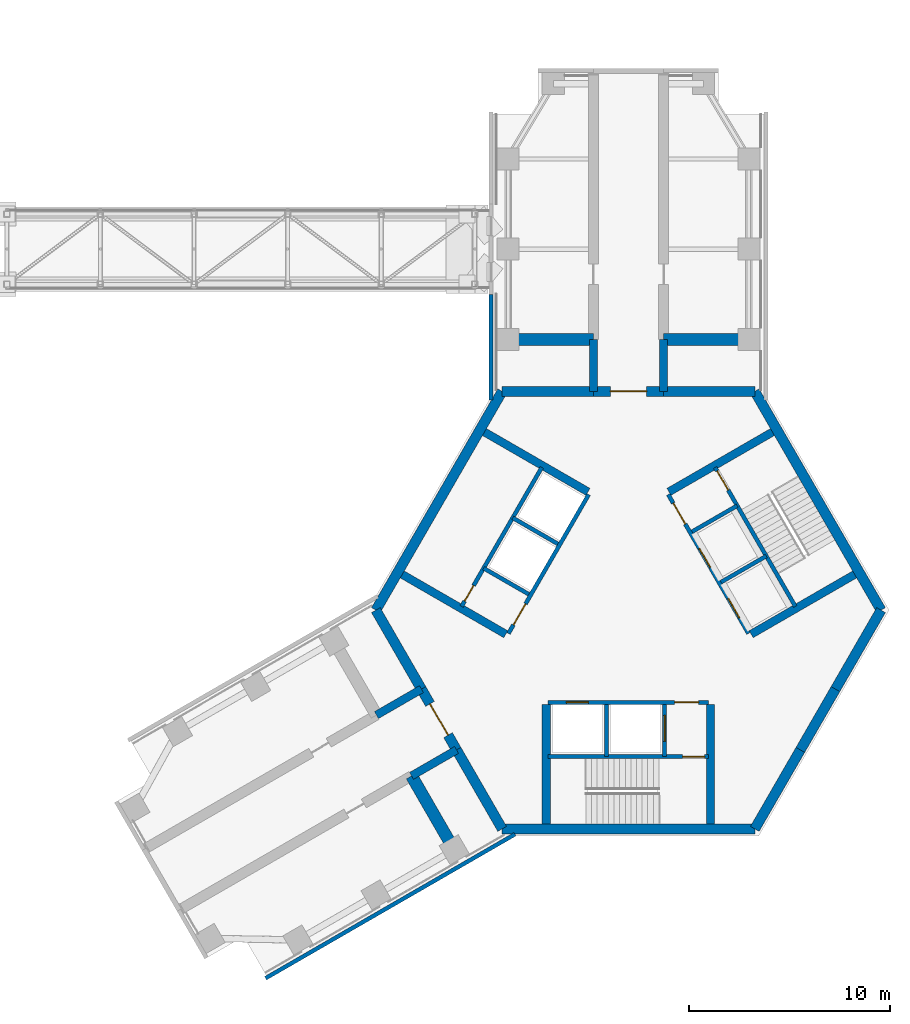
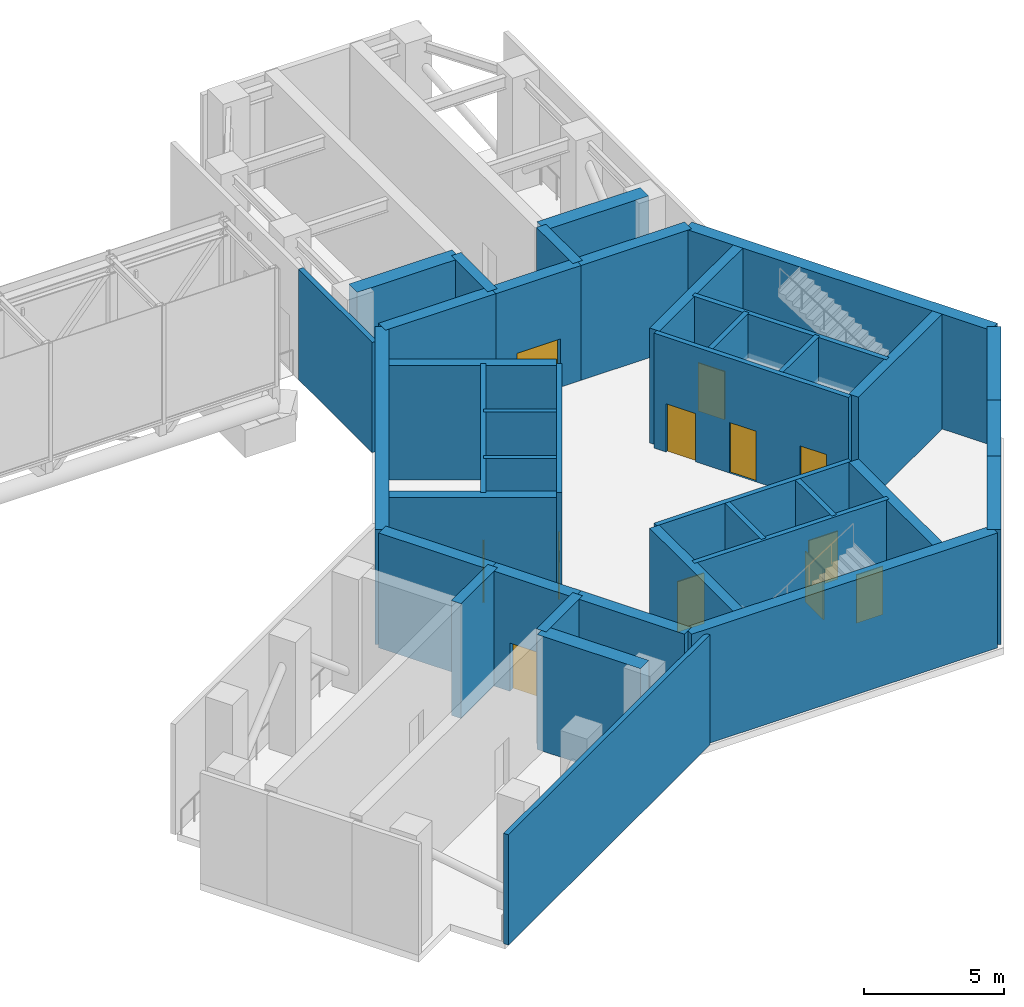
# One storey, part 10 of 15: 39 walls, 12 doors, 12 openings.
"""IFC4 building model written with IfcOpenShell, lengths in metres."""

from ifc_helpers import new_model, si_unit, direction, frame, frame_2d, origin, place, context, subcontext, project, spatial, rectangle, extrude, material, layer, layer_set, type_object, element, fill, save


model = new_model("IFC4")

# Units and contexts
model_context = context("Model", 3, precision=1e-05, world=origin(), true_north=direction((0.0, 1.0)))
body_context = subcontext(model_context, "Body", "Model", "MODEL_VIEW")
ifc_project = project(units=[si_unit("LENGTHUNIT", "METRE"), si_unit("AREAUNIT", "SQUARE_METRE"), si_unit("VOLUMEUNIT", "CUBIC_METRE"), si_unit("PLANEANGLEUNIT", "RADIAN"), si_unit("MASSUNIT", "GRAM", prefix="KILO")], contexts=[model_context])

# Site, building, storey
site_placement = place(None, origin())
site = spatial("IfcSite", under=ifc_project, at=site_placement, CompositionType="ELEMENT")
building_placement = place(site_placement, origin())
building = spatial("IfcBuilding", under=site, at=building_placement, Name="Upepo Twin Towers", CompositionType="ELEMENT")
storey_placement = place(building_placement, frame((0.0, 0.0, 238.5)))
storey = spatial("IfcBuildingStorey", under=building, at=storey_placement, Name="L58", CompositionType="ELEMENT", Elevation=238.5)

# Walls
ifc_material_1 = material(Name="Precast concrete breeze blocks", Category="concrete")
ifc_layer_1 = layer(ifc_material_1, 0.199951171875)
ifc_layer_set_1 = layer_set([ifc_layer_1], Name="Breeze-block screen wall 200")
wall_type_1 = type_object("IfcWallType", Name="Breeze-block screen wall 200", PredefinedType="USERDEFINED", material=ifc_layer_set_1)
wall_1_placement = place(storey_placement, frame((51.64990234375, -7.512939453125, 0.0), z_axis=(0.0, 0.0, 1.0), x_axis=(0.0, 1.0, 0.0)))
element("IfcWall", 1, at=wall_1_placement, inside=storey, type_object=wall_type_1, Name="T2 L58 wing A screen L1", ObjectType="SCREEN", PredefinedType="USERDEFINED", context=body_context, shape_type="SweptSolid", body=[
    extrude(rectangle(XDim=5.262939453125, YDim=0.199951171875, at=frame_2d((2.63134765625, 0.0))), origin(), (0.0, 0.0, 1.0), 4.800048828125),
])
wall_2_placement = place(storey_placement, frame((52.8427734375, -29.17578125, 0.0), z_axis=(0.0, 0.0, 1.0), x_axis=(-0.866024237261, -0.500002020472, 0.0)))
element("IfcWall", 2, at=wall_2_placement, inside=storey, type_object=wall_type_1, Name="T2 L58 wing B screen L", ObjectType="SCREEN", PredefinedType="USERDEFINED", context=body_context, shape_type="SweptSolid", body=[
    extrude(rectangle(XDim=14.36279296875, YDim=0.199951171875, at=frame_2d((7.181396484375, 0.0))), origin(), (0.0, 0.0, 1.0), 4.800048828125),
])
ifc_material_2 = material(Name="Concrete C60/75", Category="concrete")
ifc_layer_2 = layer(ifc_material_2, 0.39990234375)
ifc_layer_set_2 = layer_set([ifc_layer_2], Name="Concrete C60/75")
wall_type_2 = type_object("IfcWallType", Name="Buttress wall 400 RC", PredefinedType="SHEAR", material=ifc_layer_set_2)
for number, where, z_axis, x_axis, name in (
    (3, (56.75, -7.091552734375, 0.0), (0.0, 0.0, 1.0), (0.0, 1.0, 0.0), "T2 wing A buttress wall L"),
    (4, (60.25, -7.091552734375, 0.0), (0.0, 0.0, 1.0), (0.0, 1.0, 0.0), "T2 wing A buttress wall R"),
):
    element("IfcWall", number, at=place(storey_placement, frame(where, z_axis=z_axis, x_axis=x_axis)), inside=storey, type_object=wall_type_2, Name=name, PredefinedType="SHEAR", context=body_context, shape_type="SweptSolid", body=[
        extrude(rectangle(XDim=2.591552734375, YDim=0.39990234375, at=frame_2d((1.2958984375, 0.0))), origin(), (0.0, 0.0, 1.0), 5.0),
    ])
for number, where, z_axis, x_axis, name in (
    (5, (49.92822265625, -24.9697265625, 0.0), (0.0, 0.0, 1.0), (-0.866031863473, -0.499988811324, 0.0), "T2 wing B buttress wall L"),
    (6, (48.17822265625, -21.938720703125, 0.0), (0.0, 0.0, 1.0), (-0.866072649678, -0.499918158782, 0.0), "T2 wing B buttress wall R"),
):
    element("IfcWall", number, at=place(storey_placement, frame(where, z_axis=z_axis, x_axis=x_axis)), inside=storey, type_object=wall_type_2, Name=name, PredefinedType="SHEAR", context=body_context, shape_type="SweptSolid", body=[
        extrude(rectangle(XDim=2.591796875, YDim=0.39990234375, at=frame_2d((1.2958984375, 0.0))), origin(), (0.0, 0.0, 1.0), 5.0),
    ])
ifc_material_3 = material(Name="Concrete C60/75", Category="concrete")
ifc_layer_3 = layer(ifc_material_3, 0.5)
ifc_layer_set_3 = layer_set([ifc_layer_3], Name="Concrete C60/75")
wall_type_3 = type_object("IfcWallType", Name="Core wall 500 RC", PredefinedType="SHEAR", material=ifc_layer_set_3)
wall_3_placement = place(storey_placement, frame((64.7978515625, -7.091552734375, 0.0), z_axis=(0.0, 0.0, 1.0), x_axis=(-1.0, 0.0, 0.0)))
element("IfcWall", 7, at=wall_3_placement, inside=storey, type_object=wall_type_3, Name="T2 core wall 000 R", PredefinedType="SHEAR", context=body_context, shape_type="SweptSolid", body=[
    extrude(rectangle(XDim=4.5478515625, YDim=0.5, at=frame_2d((2.27392578125, 0.0))), origin(), (0.0, 0.0, 1.0), 5.0),
])

# Wall, opening, door
wall_4_placement = place(storey_placement, frame((60.25, -7.091552734375, 0.0), z_axis=(0.0, 0.0, 1.0), x_axis=(-1.0, 0.0, 0.0)))
wall_4 = element("IfcWall", 8, at=wall_4_placement, inside=storey, type_object=wall_type_3, Name="T2 core wall 000", PredefinedType="SHEAR", context=body_context, shape_type="SweptSolid", body=[
    extrude(rectangle(XDim=3.5, YDim=0.5, at=frame_2d((1.75, 0.0))), origin(), (0.0, 0.0, 1.0), 5.0),
])
opening_1_placement = place(wall_4_placement, frame((0.85009765625, 0.0, 0.0)))
opening_1 = element("IfcOpeningElement", 9, at=opening_1_placement, cuts=wall_4, Name="Opening D2", PredefinedType="OPENING", context=body_context, shape_type="SweptSolid", body=[
    extrude(rectangle(XDim=1.800048828125, YDim=2.10009765625, at=frame_2d((0.89990234375, 1.050048828125))), frame((0.0, 0.260009765625, 0.0), z_axis=(0.0, -1.0, 0.0), x_axis=(1.0, 0.0, 0.0)), (0.0, 0.0, 1.0), 0.52001953125),
])
ifc_material_4 = material(Name="Timber doorset", Category="wood")
door_type_1 = type_object("IfcDoorType", Name="Corridor double door 1800 FD60", OperationType="DOUBLE_DOOR_DOUBLE_SWING", PredefinedType="DOOR", material=ifc_material_4)
door_1_placement = place(opening_1_placement, origin())
door_1 = element("IfcDoor", 10, at=door_1_placement, inside=storey, type_object=door_type_1, Name="T2 L58 wing A corridor door", OperationType="DOUBLE_DOOR_DOUBLE_SWING", OverallHeight=2.10009765625, OverallWidth=1.800048828125, PredefinedType="DOOR", context=body_context, shape_type="SweptSolid", body=[
    extrude(rectangle(XDim=1.800048828125, YDim=2.10009765625, at=frame_2d((0.89990234375, 1.050048828125))), frame((0.0, 0.02490234375, 0.0), z_axis=(0.0, -1.0, 0.0), x_axis=(1.0, 0.0, 0.0)), (0.0, 0.0, 1.0), 0.050048828125),
])
fill(opening_1, door_1)

# Walls
wall_5_placement = place(storey_placement, frame((56.75, -7.091552734375, 0.0), z_axis=(0.0, 0.0, 1.0), x_axis=(-1.0, 0.0, 0.0)))
element("IfcWall", 11, at=wall_5_placement, inside=storey, type_object=wall_type_3, Name="T2 core wall 000 L", PredefinedType="SHEAR", context=body_context, shape_type="SweptSolid", body=[
    extrude(rectangle(XDim=4.5478515625, YDim=0.5, at=frame_2d((2.27392578125, 0.0))), origin(), (0.0, 0.0, 1.0), 5.0),
])
wall_6_placement = place(storey_placement, frame((52.2021484375, -7.091552734375, 0.0), z_axis=(0.0, 0.0, 1.0), x_axis=(-0.500005998175, -0.866021940709, 0.0)))
element("IfcWall", 12, at=wall_6_placement, inside=storey, type_object=wall_type_3, Name="T2 core wall 060", PredefinedType="SHEAR", context=body_context, shape_type="SweptSolid", body=[
    extrude(rectangle(XDim=12.595947265625, YDim=0.5, at=frame_2d((6.2978515625, 0.0))), origin(), (0.0, 0.0, 1.0), 5.0),
])
wall_7_placement = place(storey_placement, frame((45.904052734375, -18.0, 0.0), z_axis=(0.0, 0.0, 1.0), x_axis=(0.500024481964, -0.866011268655, 0.0)))
element("IfcWall", 13, at=wall_7_placement, inside=storey, type_object=wall_type_3, Name="T2 core wall 120 R", PredefinedType="SHEAR", context=body_context, shape_type="SweptSolid", body=[
    extrude(rectangle(XDim=4.548095703125, YDim=0.5, at=frame_2d((2.27392578125, 0.0))), origin(), (0.0, 0.0, 1.0), 5.0),
])

# Wall, opening, door
wall_8_placement = place(storey_placement, frame((48.17822265625, -21.938720703125, 0.0), z_axis=(0.0, 0.0, 1.0), x_axis=(0.500010275428, -0.866019471182, 0.0)))
wall_8 = element("IfcWall", 14, at=wall_8_placement, inside=storey, type_object=wall_type_3, Name="T2 core wall 120", PredefinedType="SHEAR", context=body_context, shape_type="SweptSolid", body=[
    extrude(rectangle(XDim=3.5, YDim=0.5, at=frame_2d((1.75, 0.0))), origin(), (0.0, 0.0, 1.0), 5.0),
])
opening_2_placement = place(wall_8_placement, frame((0.85009765625, 0.0, 0.0)))
opening_2 = element("IfcOpeningElement", 15, at=opening_2_placement, cuts=wall_8, Name="Opening D2", PredefinedType="OPENING", context=body_context, shape_type="SweptSolid", body=[
    extrude(rectangle(XDim=1.800048828125, YDim=2.10009765625, at=frame_2d((0.89990234375, 1.050048828125))), frame((0.0, 0.260009765625, 0.0), z_axis=(0.0, -1.0, 0.0), x_axis=(1.0, 0.0, 0.0)), (0.0, 0.0, 1.0), 0.52001953125),
])
door_2_placement = place(opening_2_placement, origin())
door_2 = element("IfcDoor", 16, at=door_2_placement, inside=storey, type_object=door_type_1, Name="T2 L58 wing B corridor door", OperationType="DOUBLE_DOOR_DOUBLE_SWING", OverallHeight=2.10009765625, OverallWidth=1.800048828125, PredefinedType="DOOR", context=body_context, shape_type="SweptSolid", body=[
    extrude(rectangle(XDim=1.800048828125, YDim=2.10009765625, at=frame_2d((0.89990234375, 1.050048828125))), frame((0.0, 0.02490234375, 0.0), z_axis=(0.0, -1.0, 0.0), x_axis=(1.0, 0.0, 0.0)), (0.0, 0.0, 1.0), 0.050048828125),
])
fill(opening_2, door_2)

# Walls
wall_9_placement = place(storey_placement, frame((49.92822265625, -24.9697265625, 0.0), z_axis=(0.0, 0.0, 1.0), x_axis=(0.499984222037, -0.866034513004, 0.0)))
element("IfcWall", 17, at=wall_9_placement, inside=storey, type_object=wall_type_3, Name="T2 core wall 120 L", PredefinedType="SHEAR", context=body_context, shape_type="SweptSolid", body=[
    extrude(rectangle(XDim=4.548095703125, YDim=0.5, at=frame_2d((2.27392578125, 0.0))), origin(), (0.0, 0.0, 1.0), 5.0),
])
wall_10_placement = place(storey_placement, frame((52.2021484375, -28.908447265625, 0.0), z_axis=(0.0, 0.0, 1.0), x_axis=(1.0, 0.0, 0.0)))
element("IfcWall", 18, at=wall_10_placement, inside=storey, type_object=wall_type_3, Name="T2 core wall 180", PredefinedType="SHEAR", context=body_context, shape_type="SweptSolid", body=[
    extrude(rectangle(XDim=12.595703125, YDim=0.5, at=frame_2d((6.2978515625, 0.0))), origin(), (0.0, 0.0, 1.0), 5.0),
])
wall_11_placement = place(storey_placement, frame((64.7978515625, -28.908447265625, 0.0), z_axis=(0.0, 0.0, 1.0), x_axis=(0.499984222037, 0.866034513004, 0.0)))
element("IfcWall", 19, at=wall_11_placement, inside=storey, type_object=wall_type_3, Name="T2 core wall 240 R", PredefinedType="SHEAR", context=body_context, shape_type="SweptSolid", body=[
    extrude(rectangle(XDim=4.548095703125, YDim=0.5, at=frame_2d((2.27392578125, 0.0))), origin(), (0.0, 0.0, 1.0), 5.0),
])
wall_12_placement = place(storey_placement, frame((67.07177734375, -24.9697265625, 0.0), z_axis=(0.0, 0.0, 1.0), x_axis=(0.500010275428, 0.866019471182, 0.0)))
element("IfcWall", 20, at=wall_12_placement, inside=storey, type_object=wall_type_3, Name="T2 core wall 240", PredefinedType="SHEAR", context=body_context, shape_type="SweptSolid", body=[
    extrude(rectangle(XDim=3.5, YDim=0.5, at=frame_2d((1.75, 0.0))), origin(), (0.0, 0.0, 1.0), 5.0),
])
wall_13_placement = place(storey_placement, frame((68.82177734375, -21.938720703125, 0.0), z_axis=(0.0, 0.0, 1.0), x_axis=(0.500024481964, 0.866011268655, 0.0)))
element("IfcWall", 21, at=wall_13_placement, inside=storey, type_object=wall_type_3, Name="T2 core wall 240 L", PredefinedType="SHEAR", context=body_context, shape_type="SweptSolid", body=[
    extrude(rectangle(XDim=4.548095703125, YDim=0.5, at=frame_2d((2.27392578125, 0.0))), origin(), (0.0, 0.0, 1.0), 5.0),
])
wall_14_placement = place(storey_placement, frame((71.095947265625, -18.0, 0.0), z_axis=(0.0, 0.0, 1.0), x_axis=(-0.500005998175, 0.866021940709, 0.0)))
element("IfcWall", 22, at=wall_14_placement, inside=storey, type_object=wall_type_3, Name="T2 core wall 300", PredefinedType="SHEAR", context=body_context, shape_type="SweptSolid", body=[
    extrude(rectangle(XDim=12.595947265625, YDim=0.5, at=frame_2d((6.2978515625, 0.0))), origin(), (0.0, 0.0, 1.0), 5.0),
])
ifc_material_5 = material(Name="Concrete C60/75", Category="concrete")
ifc_layer_4 = layer(ifc_material_5, 0.60009765625)
ifc_layer_set_4 = layer_set([ifc_layer_4], Name="Concrete C60/75")
wall_type_4 = type_object("IfcWallType", Name="Outrigger wall 600 RC", PredefinedType="SHEAR", material=ifc_layer_set_4)
for number, where, z_axis, x_axis, name in (
    (23, (56.75, -4.5, 0.0), (0.0, 0.0, 1.0), (-1.0, 0.0, 0.0), "T2 outrigger wall AL"),
    (24, (60.25, -4.5, 0.0), (0.0, 0.0, 1.0), (1.0, 0.0, 0.0), "T2 outrigger wall AR"),
):
    element("IfcWall", number, at=place(storey_placement, frame(where, z_axis=z_axis, x_axis=x_axis)), inside=storey, type_object=wall_type_4, Name=name, PredefinedType="SHEAR", context=body_context, shape_type="SweptSolid", body=[
        extrude(rectangle(XDim=4.25, YDim=0.60009765625, at=frame_2d((2.125, 0.0))), origin(), (0.0, 0.0, 1.0), 5.0),
    ])
wall_15_placement = place(storey_placement, frame((47.68359375, -26.265625, 0.0), z_axis=(0.0, 0.0, 1.0), x_axis=(0.50001915956, -0.866014341725, 0.0)))
element("IfcWall", 25, at=wall_15_placement, inside=storey, type_object=wall_type_4, Name="T2 outrigger wall BL", PredefinedType="SHEAR", context=body_context, shape_type="SweptSolid", body=[
    extrude(rectangle(XDim=4.249755859375, YDim=0.60009765625, at=frame_2d((2.125, 0.0))), origin(), (0.0, 0.0, 1.0), 5.0),
])

# Wall, opening, door
ifc_material_6 = material(Name="Concrete C40/50", Category="concrete")
ifc_layer_5 = layer(ifc_material_6, 0.199951171875)
ifc_layer_set_5 = layer_set([ifc_layer_5], Name="Concrete C40/50")
wall_type_5 = type_object("IfcWallType", Name="Shaft wall 200 RC", PredefinedType="SHEAR", material=ifc_layer_set_5)
wall_16_placement = place(storey_placement, frame((56.516357421875, -12.23583984375, 0.0), z_axis=(0.0, 0.0, 1.0), x_axis=(-0.49999894854, -0.866026010844, 0.0)))
wall_16 = element("IfcWall", 26, at=wall_16_placement, inside=storey, type_object=wall_type_5, Name="T2 core W60 front wall", PredefinedType="SHEAR", context=body_context, shape_type="SweptSolid", body=[
    extrude(rectangle(XDim=8.0, YDim=0.199951171875, at=frame_2d((4.0, 0.0))), origin(), (0.0, 0.0, 1.0), 5.0),
])
opening_3_placement = place(wall_16_placement, frame((6.300048828125, 0.0, 0.0)))
opening_3 = element("IfcOpeningElement", 27, at=opening_3_placement, cuts=wall_16, Name="Opening D4", PredefinedType="OPENING", context=body_context, shape_type="SweptSolid", body=[
    extrude(rectangle(XDim=1.199951171875, YDim=2.10009765625, at=frame_2d((0.60009765625, 1.050048828125))), frame((0.0, 0.10986328125, 0.0), z_axis=(0.0, -1.0, 0.0), x_axis=(1.0, 0.0, 0.0)), (0.0, 0.0, 1.0), 0.219970703125),
])
ifc_material_7 = material(Name="Timber doorset", Category="wood")
door_type_2 = type_object("IfcDoorType", Name="Lobby door 1200 FD60", OperationType="SINGLE_SWING_LEFT", PredefinedType="DOOR", material=ifc_material_7)
door_3_placement = place(opening_3_placement, origin())
door_3 = element("IfcDoor", 28, at=door_3_placement, inside=storey, type_object=door_type_2, Name="T2 L58 W60 lobby door", OperationType="SINGLE_SWING_RIGHT", OverallHeight=2.10009765625, OverallWidth=1.199951171875, PredefinedType="DOOR", context=body_context, shape_type="SweptSolid", body=[
    extrude(rectangle(XDim=1.199951171875, YDim=2.10009765625, at=frame_2d((0.60009765625, 1.050048828125))), frame((0.0, 0.02490234375, 0.0), z_axis=(0.0, -1.0, 0.0), x_axis=(1.0, 0.0, 0.0)), (0.0, 0.0, 1.0), 0.050048828125),
])
fill(opening_3, door_3)

# Walls
for number, where, z_axis, x_axis, name in (
    (29, (54.979736328125, -14.697265625, 0.0), (0.0, 0.0, 1.0), (-0.866062058628, 0.499936506574, 0.0), "T2 core W60 shaft divider"),
    (30, (53.52978515625, -17.208740234375, 0.0), (0.0, 0.0, 1.0), (-0.866062058628, 0.499936506574, 0.0), "T2 core W60 lobby wall"),
):
    element("IfcWall", number, at=place(storey_placement, frame(where, z_axis=z_axis, x_axis=x_axis)), inside=storey, type_object=wall_type_5, Name=name, PredefinedType="SHEAR", context=body_context, shape_type="SweptSolid", body=[
        extrude(rectangle(XDim=2.599853515625, YDim=0.199951171875, at=frame_2d((1.2998046875, 0.0))), origin(), (0.0, 0.0, 1.0), 5.0),
    ])

# Wall, opening, door
wall_17_placement = place(storey_placement, frame((54.177978515625, -10.885986328125, 0.0), z_axis=(0.0, 0.0, 1.0), x_axis=(-0.49999894854, -0.866026010844, 0.0)))
wall_17 = element("IfcWall", 31, at=wall_17_placement, inside=storey, type_object=wall_type_5, Name="T2 core W60 stair wall", PredefinedType="SHEAR", context=body_context, shape_type="SweptSolid", body=[
    extrude(rectangle(XDim=8.0, YDim=0.199951171875, at=frame_2d((4.0, 0.0))), origin(), (0.0, 0.0, 1.0), 5.0),
])
opening_4_placement = place(wall_17_placement, frame((6.800048828125, 0.0, 0.0)))
opening_4 = element("IfcOpeningElement", 32, at=opening_4_placement, cuts=wall_17, Name="Opening D9", PredefinedType="OPENING", context=body_context, shape_type="SweptSolid", body=[
    extrude(rectangle(XDim=0.89990234375, YDim=2.10009765625, at=frame_2d((0.449951171875, 1.050048828125))), frame((0.0, 0.10986328125, 0.0), z_axis=(0.0, -1.0, 0.0), x_axis=(1.0, 0.0, 0.0)), (0.0, 0.0, 1.0), 0.219970703125),
])
ifc_material_8 = material(Name="Timber doorset", Category="wood")
door_type_3 = type_object("IfcDoorType", Name="Riser door 900 FD60", OperationType="SINGLE_SWING_LEFT", PredefinedType="DOOR", material=ifc_material_8)
door_4_placement = place(opening_4_placement, origin())
door_4 = element("IfcDoor", 33, at=door_4_placement, inside=storey, type_object=door_type_3, Name="T2 L58 riser door", OperationType="SINGLE_SWING_RIGHT", OverallHeight=2.10009765625, OverallWidth=0.89990234375, PredefinedType="DOOR", context=body_context, shape_type="SweptSolid", body=[
    extrude(rectangle(XDim=0.89990234375, YDim=2.10009765625, at=frame_2d((0.449951171875, 1.050048828125))), frame((0.0, 0.02490234375, 0.0), z_axis=(0.0, -1.0, 0.0), x_axis=(1.0, 0.0, 0.0)), (0.0, 0.0, 1.0), 0.050048828125),
])
fill(opening_4, door_4)

# Wall, openings, doors
wall_18_placement = place(storey_placement, frame((54.5, -22.60009765625, 0.0), z_axis=(0.0, 0.0, 1.0), x_axis=(1.0, 0.0, 0.0)))
wall_18 = element("IfcWall", 34, at=wall_18_placement, inside=storey, type_object=wall_type_5, Name="T2 core W180 front wall", PredefinedType="SHEAR", context=body_context, shape_type="SweptSolid", body=[
    extrude(rectangle(XDim=8.0, YDim=0.199951171875, at=frame_2d((4.0, 0.0))), origin(), (0.0, 0.0, 1.0), 5.0),
])
opening_5_placement = place(wall_18_placement, frame((6.300048828125, 0.0, 0.0)))
opening_5 = element("IfcOpeningElement", 35, at=opening_5_placement, cuts=wall_18, Name="Opening D4", PredefinedType="OPENING", context=body_context, shape_type="SweptSolid", body=[
    extrude(rectangle(XDim=1.199951171875, YDim=2.10009765625, at=frame_2d((0.60009765625, 1.050048828125))), frame((0.0, 0.10986328125, 0.0), z_axis=(0.0, -1.0, 0.0), x_axis=(1.0, 0.0, 0.0)), (0.0, 0.0, 1.0), 0.219970703125),
])
opening_6_placement = place(wall_18_placement, frame((0.89990234375, 0.0, 0.0)))
opening_6 = element("IfcOpeningElement", 36, at=opening_6_placement, cuts=wall_18, Name="Opening LD1", PredefinedType="OPENING", context=body_context, shape_type="SweptSolid", body=[
    extrude(rectangle(XDim=1.10009765625, YDim=2.199951171875, at=frame_2d((0.550048828125, 1.10009765625))), frame((0.0, 0.10986328125, 0.0), z_axis=(0.0, -1.0, 0.0), x_axis=(1.0, 0.0, 0.0)), (0.0, 0.0, 1.0), 0.219970703125),
])
ifc_material_9 = material(Name="Steel doorset", Category="steel")
door_type_4 = type_object("IfcDoorType", Name="Lift landing door 1100", OperationType="DOUBLE_DOOR_SLIDING", PredefinedType="DOOR", material=ifc_material_9)
door_5_placement = place(opening_6_placement, origin())
door_5 = element("IfcDoor", 37, at=door_5_placement, inside=storey, type_object=door_type_4, Name="T2 L58 lift SV1 landing door", OperationType="DOUBLE_DOOR_SLIDING", OverallHeight=2.199951171875, OverallWidth=1.10009765625, PredefinedType="DOOR", context=body_context, shape_type="SweptSolid", body=[
    extrude(rectangle(XDim=1.10009765625, YDim=2.199951171875, at=frame_2d((0.550048828125, 1.10009765625))), frame((0.0, 0.02490234375, 0.0), z_axis=(0.0, -1.0, 0.0), x_axis=(1.0, 0.0, 0.0)), (0.0, 0.0, 1.0), 0.050048828125),
])
fill(opening_6, door_5)
door_6_placement = place(opening_5_placement, origin())
door_6 = element("IfcDoor", 38, at=door_6_placement, inside=storey, type_object=door_type_2, Name="T2 L58 W180 lobby door", OperationType="SINGLE_SWING_RIGHT", OverallHeight=2.10009765625, OverallWidth=1.199951171875, PredefinedType="DOOR", context=body_context, shape_type="SweptSolid", body=[
    extrude(rectangle(XDim=1.199951171875, YDim=2.10009765625, at=frame_2d((0.60009765625, 1.050048828125))), frame((0.0, 0.02490234375, 0.0), z_axis=(0.0, -1.0, 0.0), x_axis=(1.0, 0.0, 0.0)), (0.0, 0.0, 1.0), 0.050048828125),
])
fill(opening_5, door_6)

# Wall
wall_19_placement = place(storey_placement, frame((57.39990234375, -22.699951171875, 0.0), z_axis=(0.0, 0.0, 1.0), x_axis=(0.0, -1.0, 0.0)))
element("IfcWall", 39, at=wall_19_placement, inside=storey, type_object=wall_type_5, Name="T2 core W180 shaft divider", PredefinedType="SHEAR", context=body_context, shape_type="SweptSolid", body=[
    extrude(rectangle(XDim=2.60009765625, YDim=0.199951171875, at=frame_2d((1.300048828125, 0.0))), origin(), (0.0, 0.0, 1.0), 5.0),
])

# Wall, opening, door
wall_20_placement = place(storey_placement, frame((60.300048828125, -22.699951171875, 0.0), z_axis=(0.0, 0.0, 1.0), x_axis=(0.0, -1.0, 0.0)))
wall_20 = element("IfcWall", 40, at=wall_20_placement, inside=storey, type_object=wall_type_5, Name="T2 core W180 lobby wall", PredefinedType="SHEAR", context=body_context, shape_type="SweptSolid", body=[
    extrude(rectangle(XDim=2.60009765625, YDim=0.199951171875, at=frame_2d((1.300048828125, 0.0))), origin(), (0.0, 0.0, 1.0), 5.0),
])
opening_7_placement = place(wall_20_placement, frame((0.550048828125, 0.0, 0.0)))
opening_7 = element("IfcOpeningElement", 41, at=opening_7_placement, cuts=wall_20, Name="Opening LD2", PredefinedType="OPENING", context=body_context, shape_type="SweptSolid", body=[
    extrude(rectangle(XDim=1.300048828125, YDim=2.199951171875, at=frame_2d((0.64990234375, 1.10009765625))), frame((0.0, 0.10986328125, 0.0), z_axis=(0.0, -1.0, 0.0), x_axis=(1.0, 0.0, 0.0)), (0.0, 0.0, 1.0), 0.219970703125),
])
ifc_material_10 = material(Name="Steel doorset", Category="steel")
door_type_5 = type_object("IfcDoorType", Name="Firefighting lift landing door 1300", OperationType="DOUBLE_DOOR_SLIDING", PredefinedType="DOOR", material=ifc_material_10)
door_7_placement = place(opening_7_placement, origin())
door_7 = element("IfcDoor", 42, at=door_7_placement, inside=storey, type_object=door_type_5, Name="T2 L58 firefighting lift landing door", OperationType="DOUBLE_DOOR_SLIDING", OverallHeight=2.199951171875, OverallWidth=1.300048828125, PredefinedType="DOOR", context=body_context, shape_type="SweptSolid", body=[
    extrude(rectangle(XDim=1.300048828125, YDim=2.199951171875, at=frame_2d((0.64990234375, 1.10009765625))), frame((0.0, 0.02490234375, 0.0), z_axis=(0.0, -1.0, 0.0), x_axis=(1.0, 0.0, 0.0)), (0.0, 0.0, 1.0), 0.050048828125),
])
fill(opening_7, door_7)

wall_21_placement = place(storey_placement, frame((54.5, -25.300048828125, 0.0), z_axis=(0.0, 0.0, 1.0), x_axis=(1.0, 0.0, 0.0)))
wall_21 = element("IfcWall", 43, at=wall_21_placement, inside=storey, type_object=wall_type_5, Name="T2 core W180 stair wall", PredefinedType="SHEAR", context=body_context, shape_type="SweptSolid", body=[
    extrude(rectangle(XDim=8.0, YDim=0.199951171875, at=frame_2d((4.0, 0.0))), origin(), (0.0, 0.0, 1.0), 5.0),
])
opening_8_placement = place(wall_21_placement, frame((6.699951171875, 0.0, 0.0)))
opening_8 = element("IfcOpeningElement", 44, at=opening_8_placement, cuts=wall_21, Name="Opening D3", PredefinedType="OPENING", context=body_context, shape_type="SweptSolid", body=[
    extrude(rectangle(XDim=1.10009765625, YDim=2.10009765625, at=frame_2d((0.550048828125, 1.050048828125))), frame((0.0, 0.10986328125, 0.0), z_axis=(0.0, -1.0, 0.0), x_axis=(1.0, 0.0, 0.0)), (0.0, 0.0, 1.0), 0.219970703125),
])
ifc_material_11 = material(Name="Timber doorset", Category="wood")
door_type_6 = type_object("IfcDoorType", Name="Stair door 1100 FD60", OperationType="SINGLE_SWING_LEFT", PredefinedType="DOOR", material=ifc_material_11)
door_8_placement = place(opening_8_placement, origin())
door_8 = element("IfcDoor", 45, at=door_8_placement, inside=storey, type_object=door_type_6, Name="T2 L58 stair door", OperationType="SINGLE_SWING_RIGHT", OverallHeight=2.10009765625, OverallWidth=1.10009765625, PredefinedType="DOOR", context=body_context, shape_type="SweptSolid", body=[
    extrude(rectangle(XDim=1.10009765625, YDim=2.10009765625, at=frame_2d((0.550048828125, 1.050048828125))), frame((0.0, 0.02490234375, 0.0), z_axis=(0.0, -1.0, 0.0), x_axis=(1.0, 0.0, 0.0)), (0.0, 0.0, 1.0), 0.050048828125),
])
fill(opening_8, door_8)

# Wall, openings, doors
wall_22_placement = place(storey_placement, frame((64.483642578125, -19.1640625, 0.0), z_axis=(0.0, 0.0, 1.0), x_axis=(-0.49999894854, 0.866026010844, 0.0)))
wall_22 = element("IfcWall", 46, at=wall_22_placement, inside=storey, type_object=wall_type_5, Name="T2 core W300 front wall", PredefinedType="SHEAR", context=body_context, shape_type="SweptSolid", body=[
    extrude(rectangle(XDim=8.0, YDim=0.199951171875, at=frame_2d((4.0, 0.0))), origin(), (0.0, 0.0, 1.0), 5.0),
])
opening_9_placement = place(wall_22_placement, frame((6.300048828125, 0.0, 0.0)))
opening_9 = element("IfcOpeningElement", 47, at=opening_9_placement, cuts=wall_22, Name="Opening D4", PredefinedType="OPENING", context=body_context, shape_type="SweptSolid", body=[
    extrude(rectangle(XDim=1.199951171875, YDim=2.10009765625, at=frame_2d((0.60009765625, 1.050048828125))), frame((0.0, 0.10986328125, 0.0), z_axis=(0.0, -1.0, 0.0), x_axis=(1.0, 0.0, 0.0)), (0.0, 0.0, 1.0), 0.219970703125),
])
opening_10_placement = place(wall_22_placement, frame((0.89990234375, 0.0, 0.0)))
opening_10 = element("IfcOpeningElement", 48, at=opening_10_placement, cuts=wall_22, Name="Opening LD1", PredefinedType="OPENING", context=body_context, shape_type="SweptSolid", body=[
    extrude(rectangle(XDim=1.10009765625, YDim=2.199951171875, at=frame_2d((0.550048828125, 1.10009765625))), frame((0.0, 0.10986328125, 0.0), z_axis=(0.0, -1.0, 0.0), x_axis=(1.0, 0.0, 0.0)), (0.0, 0.0, 1.0), 0.219970703125),
])
opening_11_placement = place(wall_22_placement, frame((3.800048828125, 0.0, 0.0)))
opening_11 = element("IfcOpeningElement", 49, at=opening_11_placement, cuts=wall_22, Name="Opening LD1", PredefinedType="OPENING", context=body_context, shape_type="SweptSolid", body=[
    extrude(rectangle(XDim=1.10009765625, YDim=2.199951171875, at=frame_2d((0.550048828125, 1.10009765625))), frame((0.0, 0.10986328125, 0.0), z_axis=(0.0, -1.0, 0.0), x_axis=(1.0, 0.0, 0.0)), (0.0, 0.0, 1.0), 0.219970703125),
])
door_9_placement = place(opening_10_placement, origin())
door_9 = element("IfcDoor", 50, at=door_9_placement, inside=storey, type_object=door_type_4, Name="T2 L58 lift UL1 landing door", OperationType="DOUBLE_DOOR_SLIDING", OverallHeight=2.199951171875, OverallWidth=1.10009765625, PredefinedType="DOOR", context=body_context, shape_type="SweptSolid", body=[
    extrude(rectangle(XDim=1.10009765625, YDim=2.199951171875, at=frame_2d((0.550048828125, 1.10009765625))), frame((0.0, 0.02490234375, 0.0), z_axis=(0.0, -1.0, 0.0), x_axis=(1.0, 0.0, 0.0)), (0.0, 0.0, 1.0), 0.050048828125),
])
fill(opening_10, door_9)
door_10_placement = place(opening_11_placement, origin())
door_10 = element("IfcDoor", 51, at=door_10_placement, inside=storey, type_object=door_type_4, Name="T2 L58 lift UL2 landing door", OperationType="DOUBLE_DOOR_SLIDING", OverallHeight=2.199951171875, OverallWidth=1.10009765625, PredefinedType="DOOR", context=body_context, shape_type="SweptSolid", body=[
    extrude(rectangle(XDim=1.10009765625, YDim=2.199951171875, at=frame_2d((0.550048828125, 1.10009765625))), frame((0.0, 0.02490234375, 0.0), z_axis=(0.0, -1.0, 0.0), x_axis=(1.0, 0.0, 0.0)), (0.0, 0.0, 1.0), 0.050048828125),
])
fill(opening_11, door_10)
door_11_placement = place(opening_9_placement, origin())
door_11 = element("IfcDoor", 52, at=door_11_placement, inside=storey, type_object=door_type_2, Name="T2 L58 W300 lobby door", OperationType="SINGLE_SWING_RIGHT", OverallHeight=2.10009765625, OverallWidth=1.199951171875, PredefinedType="DOOR", context=body_context, shape_type="SweptSolid", body=[
    extrude(rectangle(XDim=1.199951171875, YDim=2.10009765625, at=frame_2d((0.60009765625, 1.050048828125))), frame((0.0, 0.02490234375, 0.0), z_axis=(0.0, -1.0, 0.0), x_axis=(1.0, 0.0, 0.0)), (0.0, 0.0, 1.0), 0.050048828125),
])
fill(opening_9, door_11)

# Walls
wall_23_placement = place(storey_placement, frame((63.120361328125, -16.6025390625, 0.0), z_axis=(0.0, 0.0, 1.0), x_axis=(0.866062058628, 0.499936506574, 0.0)))
element("IfcWall", 53, at=wall_23_placement, inside=storey, type_object=wall_type_5, Name="T2 core W300 shaft divider", PredefinedType="SHEAR", context=body_context, shape_type="SweptSolid", body=[
    extrude(rectangle(XDim=2.599853515625, YDim=0.199951171875, at=frame_2d((1.2998046875, 0.0))), origin(), (0.0, 0.0, 1.0), 5.0),
])
wall_24_placement = place(storey_placement, frame((61.67041015625, -14.091064453125, 0.0), z_axis=(0.0, 0.0, 1.0), x_axis=(0.86603858612, 0.49997716683, 0.0)))
element("IfcWall", 54, at=wall_24_placement, inside=storey, type_object=wall_type_5, Name="T2 core W300 lobby wall", PredefinedType="SHEAR", context=body_context, shape_type="SweptSolid", body=[
    extrude(rectangle(XDim=2.599609375, YDim=0.199951171875, at=frame_2d((1.2998046875, 0.0))), origin(), (0.0, 0.0, 1.0), 5.0),
])

# Wall, opening, door
wall_25_placement = place(storey_placement, frame((66.822021484375, -17.814208984375, 0.0), z_axis=(0.0, 0.0, 1.0), x_axis=(-0.49999894854, 0.866026010844, 0.0)))
wall_25 = element("IfcWall", 55, at=wall_25_placement, inside=storey, type_object=wall_type_5, Name="T2 core W300 stair wall", PredefinedType="SHEAR", context=body_context, shape_type="SweptSolid", body=[
    extrude(rectangle(XDim=8.0, YDim=0.199951171875, at=frame_2d((4.0, 0.0))), origin(), (0.0, 0.0, 1.0), 5.0),
])
opening_12_placement = place(wall_25_placement, frame((6.699951171875, 0.0, 0.0)))
opening_12 = element("IfcOpeningElement", 56, at=opening_12_placement, cuts=wall_25, Name="Opening D3", PredefinedType="OPENING", context=body_context, shape_type="SweptSolid", body=[
    extrude(rectangle(XDim=1.10009765625, YDim=2.10009765625, at=frame_2d((0.550048828125, 1.050048828125))), frame((0.0, 0.10986328125, 0.0), z_axis=(0.0, -1.0, 0.0), x_axis=(1.0, 0.0, 0.0)), (0.0, 0.0, 1.0), 0.219970703125),
])
door_12_placement = place(opening_12_placement, origin())
door_12 = element("IfcDoor", 57, at=door_12_placement, inside=storey, type_object=door_type_6, Name="T2 L58 stair door", OperationType="SINGLE_SWING_RIGHT", OverallHeight=2.10009765625, OverallWidth=1.10009765625, PredefinedType="DOOR", context=body_context, shape_type="SweptSolid", body=[
    extrude(rectangle(XDim=1.10009765625, YDim=2.10009765625, at=frame_2d((0.550048828125, 1.050048828125))), frame((0.0, 0.02490234375, 0.0), z_axis=(0.0, -1.0, 0.0), x_axis=(1.0, 0.0, 0.0)), (0.0, 0.0, 1.0), 0.050048828125),
])
fill(opening_12, door_12)

# Walls
ifc_material_12 = material(Name="Concrete C40/50", Category="concrete")
ifc_layer_6 = layer(ifc_material_12, 0.39990234375)
ifc_layer_set_6 = layer_set([ifc_layer_6], Name="Concrete C40/50")
wall_type_6 = type_object("IfcWallType", Name="Shaft wall 400 RC", PredefinedType="SHEAR", material=ifc_layer_set_6)
wall_26_placement = place(storey_placement, frame((52.379638671875, -19.20068359375, 0.0), z_axis=(0.0, 0.0, 1.0), x_axis=(-0.866012946976, 0.500021575205, 0.0)))
element("IfcWall", 58, at=wall_26_placement, inside=storey, type_object=wall_type_6, Name="T2 core W60 side wall N", PredefinedType="SHEAR", context=body_context, shape_type="SweptSolid", body=[
    extrude(rectangle(XDim=5.958251953125, YDim=0.39990234375, at=frame_2d((2.97900390625, 0.0))), origin(), (0.0, 0.0, 1.0), 5.0),
])
for number, where, z_axis, x_axis, name in (
    (59, (56.479736328125, -12.099365234375, 0.0), (0.0, 0.0, 1.0), (-0.86602319114, 0.500003832394, 0.0), "T2 core W60 side wall S"),
    (60, (62.60009765625, -22.699951171875, 0.0), (0.0, 0.0, 1.0), (0.0, -1.0, 0.0), "T2 core W180 side wall N"),
    (61, (54.39990234375, -22.699951171875, 0.0), (0.0, 0.0, 1.0), (0.0, -1.0, 0.0), "T2 core W180 side wall S"),
    (62, (60.520263671875, -12.099365234375, 0.0), (0.0, 0.0, 1.0), (0.86602319114, 0.500003832394, 0.0), "T2 core W300 side wall N"),
):
    element("IfcWall", number, at=place(storey_placement, frame(where, z_axis=z_axis, x_axis=x_axis)), inside=storey, type_object=wall_type_6, Name=name, PredefinedType="SHEAR", context=body_context, shape_type="SweptSolid", body=[
        extrude(rectangle(XDim=5.95849609375, YDim=0.39990234375, at=frame_2d((2.979248046875, 0.0))), origin(), (0.0, 0.0, 1.0), 5.0),
    ])
wall_27_placement = place(storey_placement, frame((64.620361328125, -19.20068359375, 0.0), z_axis=(0.0, 0.0, 1.0), x_axis=(0.866012946976, 0.500021575205, 0.0)))
element("IfcWall", 63, at=wall_27_placement, inside=storey, type_object=wall_type_6, Name="T2 core W300 side wall S", PredefinedType="SHEAR", context=body_context, shape_type="SweptSolid", body=[
    extrude(rectangle(XDim=5.958251953125, YDim=0.39990234375, at=frame_2d((2.97900390625, 0.0))), origin(), (0.0, 0.0, 1.0), 5.0),
])

save(model, "model.ifc")
